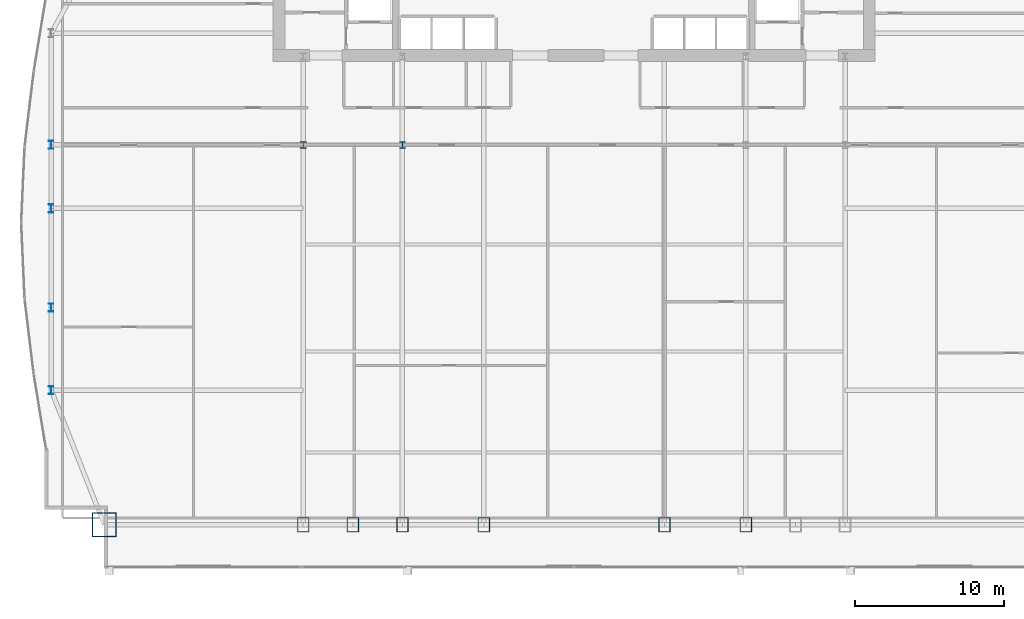
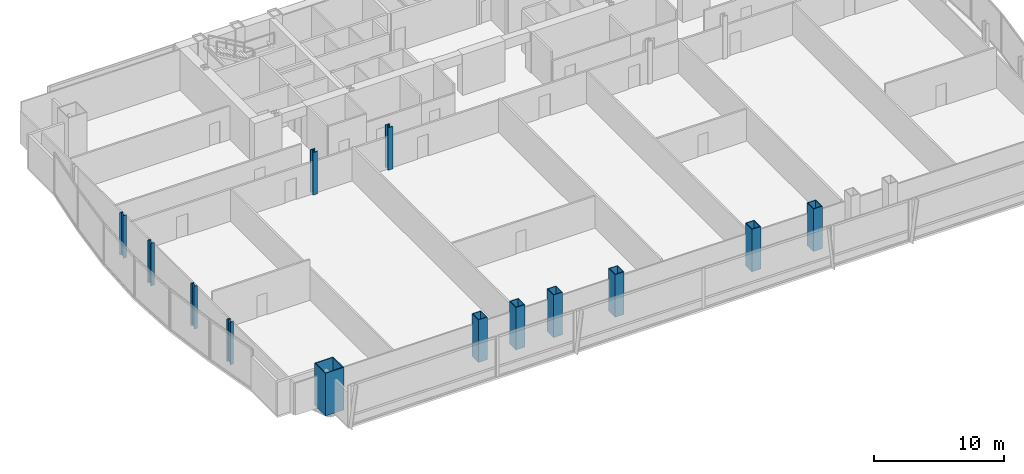
# One storey, part 1 of 32: 13 columns.
"""IFC4 building model written with IfcOpenShell, lengths in metres."""

import ifcopenshell
import ifcopenshell.guid

model = None  # the IFC model being written
_history = None  # IfcOwnerHistory: only IFC2X3 demands one
_inside = {}  # id of a spatial element -> (the spatial element, [elements in it])
_under = {}  # id of a project, library or spatial element -> (it, [spatial elements below it])
_declared = {}  # id of a project -> (the project, [libraries it declares])
_typed = {}  # id of a type object -> (the type object, [elements of that type])
_made_of = {}  # id of a material, layer set ... -> (it, [elements and type objects made of it])


def new_model(schema):
    """Start an empty IFC model of exactly this schema.

    Asked for "IFC4X3", IfcOpenShell would pick the latest addendum, in which some entities
    have other attributes; the version numbers below select the first issue.
    IFC2X3 requires an IfcOwnerHistory on every rooted entity: one is made here for all.
    """
    global model, _history
    if schema == "IFC4X3":
        model = ifcopenshell.file(schema_version=(4, 3, 0, 0))
    else:
        model = ifcopenshell.file(schema=schema)
    _inside.clear()
    _under.clear()
    _declared.clear()
    _typed.clear()
    _made_of.clear()
    _history = None
    if model.schema == "IFC2X3":
        org = make("IfcOrganization", Name="unknown")
        user = make(
            "IfcPersonAndOrganization",
            ThePerson=make("IfcPerson", FamilyName="unknown"),
            TheOrganization=org,
        )
        app = make(
            "IfcApplication",
            ApplicationDeveloper=org,
            Version="unknown",
            ApplicationFullName="unknown",
            ApplicationIdentifier="unknown",
        )
        _history = make(
            "IfcOwnerHistory",
            OwningUser=user,
            OwningApplication=app,
            ChangeAction="ADDED",
            CreationDate=0,
        )
    return model


def make(cls, **values):
    """One entity of the class cls with the attributes given. An attribute that is None is left unset."""
    return model.create_entity(
        cls, **{name: value for name, value in values.items() if value is not None}
    )


def rooted(cls, **values):
    """An entity with a GlobalId (a new one), such as an element, a storey or a relation."""
    return make(cls, GlobalId=ifcopenshell.guid.new(), OwnerHistory=_history, **values)


def si_unit(unit_type, name, prefix=None):
    """IfcSIUnit, for example si_unit("LENGTHUNIT", "METRE", prefix="MILLI")."""
    return make("IfcSIUnit", UnitType=unit_type, Prefix=prefix, Name=name)


def assignment(units):
    """IfcUnitAssignment: the units of a project."""
    return None if units is None else make("IfcUnitAssignment", Units=units)


def point(xyz):
    """IfcCartesianPoint."""
    return None if xyz is None else make("IfcCartesianPoint", Coordinates=xyz)


def direction(xyz):
    """IfcDirection."""
    return None if xyz is None else make("IfcDirection", DirectionRatios=xyz)


def frame(location, z_axis=None, x_axis=None):
    """IfcAxis2Placement3D, a coordinate frame: its origin and axes. An axis left out is left unset."""
    return make(
        "IfcAxis2Placement3D",
        Location=point(location),
        Axis=direction(z_axis),
        RefDirection=direction(x_axis),
    )


def frame_2d(location, x_axis=None):
    """IfcAxis2Placement2D, a coordinate frame in the plane: its origin and x axis."""
    return make(
        "IfcAxis2Placement2D", Location=point(location), RefDirection=direction(x_axis)
    )


def origin():
    """The frame at (0, 0, 0) with its axes left unset."""
    return frame((0.0, 0.0, 0.0))


def origin_2d():
    """The frame at (0, 0) in the plane with its x axis left unset."""
    return frame_2d((0.0, 0.0))


def place(relative_to, where):
    """IfcLocalPlacement: puts the frame where relative to a parent placement (None: the world)."""
    return make(
        "IfcLocalPlacement", PlacementRelTo=relative_to, RelativePlacement=where
    )


def context(
    kind, dimensions, precision=None, world=None, true_north=None, identifier=None
):
    """IfcGeometricRepresentationContext, for example the 3D "Model" context."""
    return make(
        "IfcGeometricRepresentationContext",
        ContextIdentifier=identifier,
        ContextType=kind,
        CoordinateSpaceDimension=dimensions,
        Precision=precision,
        WorldCoordinateSystem=world,
        TrueNorth=true_north,
    )


def subcontext(parent, identifier, kind, view, scale=None):
    """IfcGeometricRepresentationSubContext, for example "Body" below "Model"."""
    return make(
        "IfcGeometricRepresentationSubContext",
        ContextIdentifier=identifier,
        ContextType=kind,
        ParentContext=parent,
        TargetScale=scale,
        TargetView=view,
    )


def project(units=None, contexts=None):
    """IfcProject with its units and contexts."""
    return rooted(
        "IfcProject",
        Name="project",
        RepresentationContexts=contexts,
        UnitsInContext=assignment(units),
    )


def spatial(cls, under=None, at=None, **own):
    """A site, building, storey or space (cls), placed at a placement, below another one or the project."""
    s = rooted(cls, ObjectPlacement=at, **own)
    if under is not None:
        _under.setdefault(under.id(), (under, []))[1].append(s)
    return s


def profile(cls, at=None, kind="AREA", **sizes):
    """A parametric profile (cls). Its sizes go by their IFC names, for example OverallWidth=200.0."""
    return make(cls, ProfileType=kind, Position=at, **sizes)


def hollow_rectangle(**sizes):
    """IfcRectangleHollowProfileDef."""
    return profile("IfcRectangleHollowProfileDef", **sizes)


def i_section(**sizes):
    """IfcIShapeProfileDef."""
    return profile("IfcIShapeProfileDef", **sizes)


def extrude(swept, where, along, depth):
    """IfcExtrudedAreaSolid: the profile swept, set in the frame where, extruded along a direction by depth."""
    return make(
        "IfcExtrudedAreaSolid",
        SweptArea=swept,
        Position=where,
        ExtrudedDirection=direction(along),
        Depth=depth,
    )


def shape(context_of_items, identifier, shape_type, items):
    """IfcShapeRepresentation: the items that make up one representation, for example the "Body"."""
    return make(
        "IfcShapeRepresentation",
        ContextOfItems=context_of_items,
        RepresentationIdentifier=identifier,
        RepresentationType=shape_type,
        Items=items,
    )


def material(Name=None, Category=None):
    """IfcMaterial."""
    return make("IfcMaterial", Name=Name, Category=Category)


def material_profile(
    of_material, cross_section, Name=None, Category=None, Priority=None
):
    """IfcMaterialProfile: a cross section and its material."""
    return make(
        "IfcMaterialProfile",
        Name=Name,
        Material=of_material,
        Profile=cross_section,
        Priority=Priority,
        Category=Category,
    )


def profile_set(profiles, Name=None, composite=None):
    """IfcMaterialProfileSet."""
    return make(
        "IfcMaterialProfileSet",
        Name=Name,
        MaterialProfiles=profiles,
        CompositeProfile=composite,
    )


def made_of(thing, what):
    """Note that an element or type object is made of a material, layer set ...; save() writes the relation."""
    if what is not None:
        _made_of.setdefault(what.id(), (what, []))[1].append(thing)
    return thing


def type_object(cls, material=None, **own):
    """A type object (cls), such as IfcWallType, which elements share."""
    return made_of(rooted(cls, **own), material)


def element(
    cls,
    number,
    at=None,
    inside=None,
    cuts=None,
    type_object=None,
    material=None,
    context=None,
    identifier="Body",
    shape_type=None,
    held_by="IfcProductDefinitionShape",
    body=None,
    shapes=None,
    **own,
):
    """One element of the class cls, such as IfcWall. Its Tag is "e" and its number.

    at: its placement. inside: the storey or other place that contains it. cuts: it is an
    opening in that element (IfcRelVoidsElement). A single representation is given by context,
    identifier, shape_type and body (its items); several are given by shapes. held_by: the class
    of the entity that holds the representations. save() writes the other relations.
    """
    e = rooted(cls, Tag="e%d" % number, ObjectPlacement=at, **own)
    if body is not None:
        shapes = [shape(context, identifier, shape_type, body)]
    if shapes is not None:
        e.Representation = make(held_by, Representations=shapes)
    if inside is not None:
        _inside.setdefault(inside.id(), (inside, []))[1].append(e)
    if cuts is not None:
        rooted(
            "IfcRelVoidsElement", RelatingBuildingElement=cuts, RelatedOpeningElement=e
        )
    if type_object is not None:
        _typed.setdefault(type_object.id(), (type_object, []))[1].append(e)
    return made_of(e, material)


def aggregate(whole, parts):
    """IfcRelAggregates: a whole, such as a stair, and the parts it consists of."""
    return rooted("IfcRelAggregates", RelatingObject=whole, RelatedObjects=parts)


def save(model, path):
    """Write the relations noted so far, then the file.

    IfcRelAggregates (storeys below a building ...), IfcRelContainedInSpatialStructure (elements
    in a storey), IfcRelDefinesByType, IfcRelAssociatesMaterial and IfcRelDeclares: one each for
    every whole, place, type object, material and project.
    """
    for whole, parts in _under.values():
        aggregate(whole, parts)
    for where, things in _inside.values():
        rooted(
            "IfcRelContainedInSpatialStructure",
            RelatedElements=things,
            RelatingStructure=where,
        )
    for kind, things in _typed.values():
        rooted("IfcRelDefinesByType", RelatedObjects=things, RelatingType=kind)
    for what, things in _made_of.values():
        rooted("IfcRelAssociatesMaterial", RelatedObjects=things, RelatingMaterial=what)
    for by, libraries in _declared.values():
        rooted("IfcRelDeclares", RelatingContext=by, RelatedDefinitions=libraries)
    model.write(path)


model = new_model("IFC4")

# Units and contexts
model_context = context("Model", 3, precision=1e-05, world=origin(), true_north=direction((0.0, 1.0)))
body_context = subcontext(model_context, "Body", "Model", "MODEL_VIEW")
ifc_project = project(units=[si_unit("LENGTHUNIT", "METRE"), si_unit("AREAUNIT", "SQUARE_METRE"), si_unit("VOLUMEUNIT", "CUBIC_METRE"), si_unit("PLANEANGLEUNIT", "RADIAN"), si_unit("MASSUNIT", "GRAM", prefix="KILO")], contexts=[model_context])

# Site, building, storey
site_placement = place(None, origin())
site = spatial("IfcSite", under=ifc_project, at=site_placement, CompositionType="ELEMENT")
building_placement = place(site_placement, origin())
building = spatial("IfcBuilding", under=site, at=building_placement, Name="Khoronbel Lancet Exchange", CompositionType="ELEMENT")
storey_placement = place(building_placement, frame((0.0, 0.0, 65.800048828125)))
storey = spatial("IfcBuildingStorey", under=building, at=storey_placement, Name="L15", CompositionType="ELEMENT", Elevation=65.800048828125)

# Columns
ifc_material_1 = material(Name="Steel S460", Category="steel")
ifc_material_profile_1 = material_profile(ifc_material_1, hollow_rectangle(XDim=0.800048828125, YDim=1.0, WallThickness=0.054931640625, at=origin_2d()), Name="BOX 1000x800x55")
ifc_profile_set_1 = profile_set([ifc_material_profile_1], Name="Steel S460")
column_type_1 = type_object("IfcColumnType", Name="COL-EC1", PredefinedType="COLUMN", material=ifc_profile_set_1)
for number, where, z_axis, x_axis, name in (
    (1, (18.22509765625, 10.14990234375, 0.0), (0.0, 0.0, 1.0), (1.0, 0.0, 0.0), "Structural column SC-W1 L15"),
    (2, (21.5625, 10.14990234375, 0.0), (0.0, 0.0, 1.0), (1.0, 0.0, 0.0), "Structural column SC-WM L15"),
    (3, (24.89990234375, 10.14990234375, 0.0), (0.0, 0.0, 1.0), (1.0, 0.0, 0.0), "Structural column SC-W2 L15"),
    (4, (30.375, 10.14990234375, 0.0), (0.0, 0.0, 1.0), (1.0, 0.0, 0.0), "Structural column SC-C1 L15"),
    (5, (42.52490234375, 10.14990234375, 0.0), (0.0, 0.0, 1.0), (1.0, 0.0, 0.0), "Structural column SC-C2 L15"),
    (6, (48.0, 10.14990234375, 0.0), (0.0, 0.0, 1.0), (1.0, 0.0, 0.0), "Structural column SC-E1 L15"),
):
    element("IfcColumn", number, at=place(storey_placement, frame(where, z_axis=z_axis, x_axis=x_axis)), inside=storey, type_object=column_type_1, Name=name, PredefinedType="COLUMN", context=body_context, shape_type="SweptSolid", body=[
        extrude(hollow_rectangle(XDim=0.800048828125, YDim=1.0, WallThickness=0.054931640625, at=origin_2d()), origin(), (0.0, 0.0, 1.0), 4.0),
    ])
ifc_material_profile_2 = material_profile(ifc_material_1, i_section(OverallWidth=0.424072265625, OverallDepth=0.47412109375, WebThickness=0.047607421875, FlangeThickness=0.076904296875, at=origin_2d()), Name="HD 400x634")
ifc_profile_set_2 = profile_set([ifc_material_profile_2], Name="Steel S460")
column_type_2 = type_object("IfcColumnType", Name="COL-IC1", PredefinedType="COLUMN", material=ifc_profile_set_2)
for number, where, z_axis, x_axis, name in (
    (7, (18.22509765625, 35.699951171875, 0.0), (0.0, 0.0, 1.0), (1.0, 0.0, 0.0), "Spine gravity column TC1 L15"),
    (8, (24.89990234375, 35.699951171875, 0.0), (0.0, 0.0, 1.0), (1.0, 0.0, 0.0), "Spine gravity column TC2 L15"),
):
    element("IfcColumn", number, at=place(storey_placement, frame(where, z_axis=z_axis, x_axis=x_axis)), inside=storey, type_object=column_type_2, Name=name, PredefinedType="COLUMN", context=body_context, shape_type="SweptSolid", body=[
        extrude(i_section(OverallWidth=0.424072265625, OverallDepth=0.47412109375, WebThickness=0.047607421875, FlangeThickness=0.076904296875, at=origin_2d()), origin(), (0.0, 0.0, 1.0), 4.0),
    ])
ifc_material_2 = material(Name="Steel S355", Category="steel")
ifc_material_profile_3 = material_profile(ifc_material_2, i_section(OverallWidth=0.300048828125, OverallDepth=0.550048828125, WebThickness=0.014892578125, FlangeThickness=0.029052734375, at=origin_2d()), Name="HEB 550")
ifc_profile_set_3 = profile_set([ifc_material_profile_3], Name="Steel S355")
column_type_3 = type_object("IfcColumnType", Name="COL-LC1", PredefinedType="COLUMN", material=ifc_profile_set_3)
for number, where, z_axis, x_axis, name in (
    (9, (1.27001953125, 19.199951171875, 0.0), (0.0, 0.0, 1.0), (1.0, 0.0, 0.0), "Structural column WC-1 L15"),
    (10, (1.27001953125, 24.75, 0.0), (0.0, 0.0, 1.0), (1.0, 0.0, 0.0), "Structural column WC-2 L15"),
    (11, (1.27001953125, 31.425048828125, 0.0), (0.0, 0.0, 1.0), (1.0, 0.0, 0.0), "Structural column WC-M L15"),
    (12, (1.27001953125, 35.699951171875, 0.0), (0.0, 0.0, 1.0), (1.0, 0.0, 0.0), "Structural column WC-3 L15"),
):
    element("IfcColumn", number, at=place(storey_placement, frame(where, z_axis=z_axis, x_axis=x_axis)), inside=storey, type_object=column_type_3, Name=name, PredefinedType="COLUMN", context=body_context, shape_type="SweptSolid", body=[
        extrude(i_section(OverallWidth=0.300048828125, OverallDepth=0.550048828125, WebThickness=0.014892578125, FlangeThickness=0.029052734375, at=origin_2d()), origin(), (0.0, 0.0, 1.0), 4.0),
    ])
ifc_material_profile_4 = material_profile(ifc_material_1, hollow_rectangle(XDim=1.64990234375, YDim=1.64990234375, WallThickness=0.074951171875, at=origin_2d()), Name="BOX 1650x1650x75")
ifc_profile_set_4 = profile_set([ifc_material_profile_4], Name="Steel S460")
column_type_4 = type_object("IfcColumnType", Name="COL-MC2", PredefinedType="COLUMN", material=ifc_profile_set_4)
column_placement = place(storey_placement, frame((4.85009765625, 10.14990234375, 0.0), z_axis=(0.0, 0.0, 1.0), x_axis=(1.0, 0.0, 0.0)))
element("IfcColumn", 13, at=column_placement, inside=storey, type_object=column_type_4, Name="Structural column MC-SW L15", PredefinedType="COLUMN", context=body_context, shape_type="SweptSolid", body=[
    extrude(hollow_rectangle(XDim=1.64990234375, YDim=1.64990234375, WallThickness=0.074951171875, at=origin_2d()), origin(), (0.0, 0.0, 1.0), 4.0),
])

save(model, "model.ifc")
